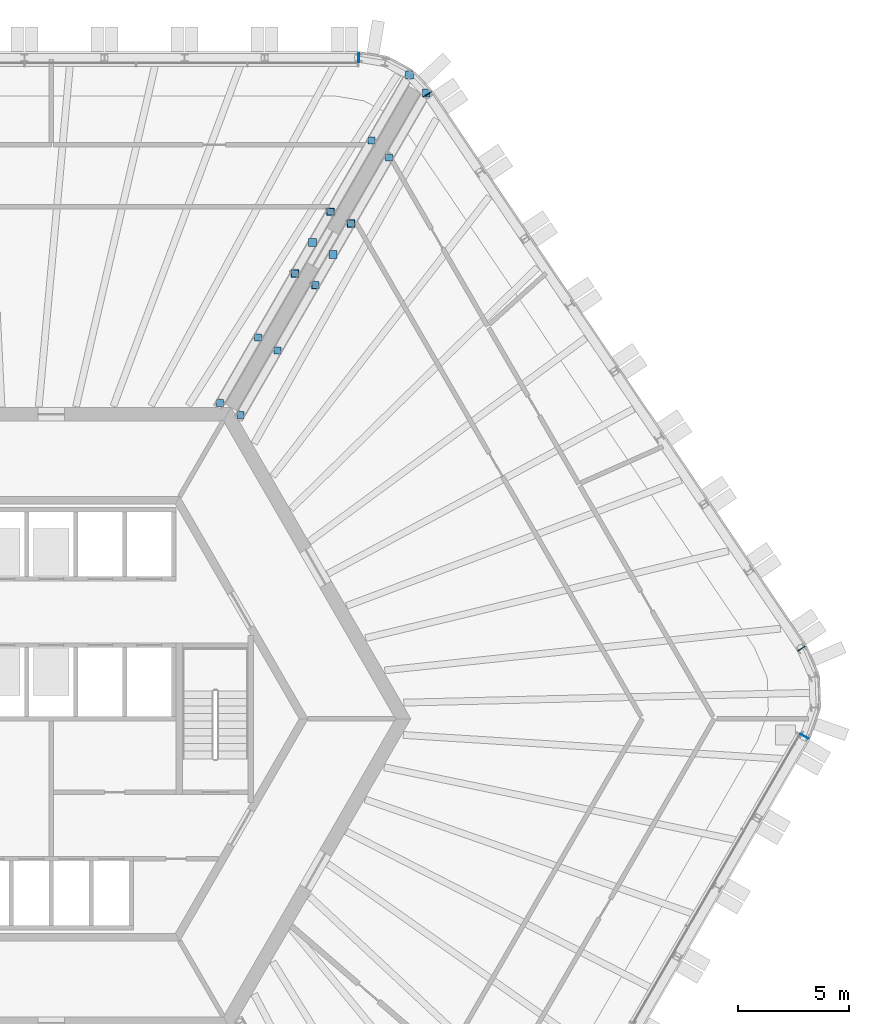
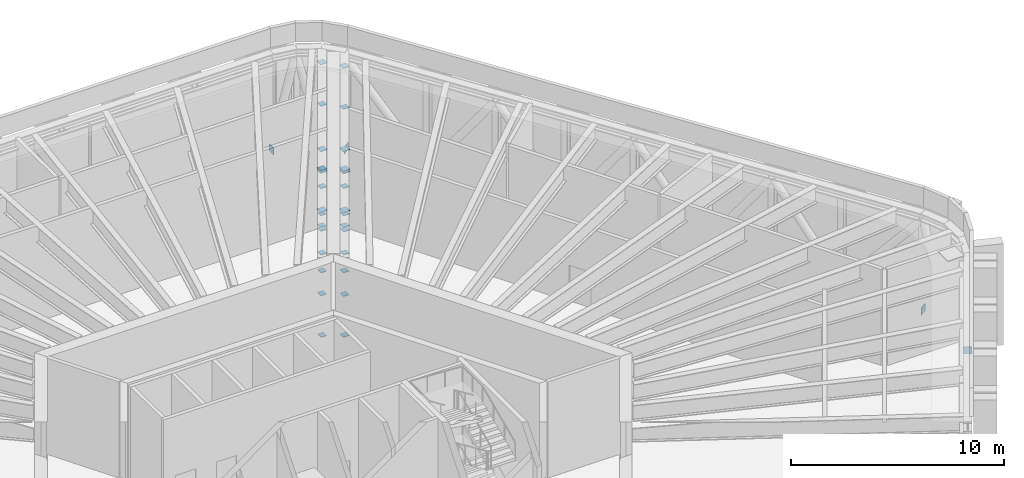
# One storey, part 24 of 27: 34 discrete accessories.
"""IFC4 building model written with IfcOpenShell, lengths in metres."""

from ifc_helpers import new_model, si_unit, direction, frame, origin, origin_2d, place, context, subcontext, project, spatial, rectangle, extrude, material, type_object, element, save


model = new_model("IFC4")

# Units and contexts
model_context = context("Model", 3, precision=1e-05, world=origin(), true_north=direction((0.0, 1.0)))
body_context = subcontext(model_context, "Body", "Model", "MODEL_VIEW")
ifc_project = project(units=[si_unit("LENGTHUNIT", "METRE"), si_unit("AREAUNIT", "SQUARE_METRE"), si_unit("VOLUMEUNIT", "CUBIC_METRE"), si_unit("PLANEANGLEUNIT", "RADIAN"), si_unit("MASSUNIT", "GRAM", prefix="KILO")], contexts=[model_context])

# Site, building, storey
site_placement = place(None, origin())
site = spatial("IfcSite", under=ifc_project, at=site_placement, CompositionType="ELEMENT")
building_placement = place(site_placement, origin())
building = spatial("IfcBuilding", under=site, at=building_placement, Name="Tarnside Tower", CompositionType="ELEMENT")
storey_placement = place(building_placement, frame((0.0, 0.0, 146.699951171875)))
storey = spatial("IfcBuildingStorey", under=building, at=storey_placement, Name="L34", CompositionType="ELEMENT", Elevation=146.699951171875)

# Discrete accessories
ifc_material = material(Name="Steel S355", Category="steel")
discrete_accessory_type_1 = type_object("IfcDiscreteAccessoryType", Name="Cast-in plate L34 belt truss chord end", PredefinedType="USERDEFINED", material=ifc_material)
for number, where, z_axis, x_axis, name in (
    (1, (13.824462890625, 29.72509765625, -0.2998046875), (0.0, 0.0, 1.0), (-1.0, 0.0, 0.0), "Cast-in plate run L34 A"),
    (2, (33.865966796875, -0.79248046875, -0.2998046875), (0.0, 0.0, 1.0), (0.5, 0.866025403784, 0.0), "Cast-in plate run L34 B"),
    (3, (33.72802734375, 3.153076171875, -0.2998046875), (0.0, 0.0, 1.0), (-0.559192903471, 0.829037572555, 0.0), "Cast-in plate run L34 A"),
    (4, (16.91259765625, 28.0830078125, -0.2998046875), (0.0, 0.0, 1.0), (-0.559192903471, 0.829037572555, 0.0), "Cast-in plate run L34 B"),
):
    element("IfcDiscreteAccessory", number, at=place(storey_placement, frame(where, z_axis=z_axis, x_axis=x_axis)), inside=storey, type_object=discrete_accessory_type_1, Name=name, ObjectType="Cast-in plate", PredefinedType="USERDEFINED", context=body_context, shape_type="SweptSolid", body=[
        extrude(rectangle(XDim=0.030029296875, YDim=0.406982421875, at=origin_2d()), origin(), (0.0, 0.0, 1.0), 0.4189453125),
    ])
discrete_accessory_type_2 = type_object("IfcDiscreteAccessoryType", Name="Gusset plate L34 outrigger end 314", PredefinedType="USERDEFINED", material=ifc_material)
for number, where, z_axis, x_axis, name in (
    (5, (7.585693359375, 14.199462890625, 0.89111328125), (0.0, 0.0, 1.0), (1.0, 0.0, 0.0), "Gusset plate 3 L34"),
    (6, (7.585693359375, 14.199462890625, 4.5791015625), (0.0, 0.0, 1.0), (1.0, 0.0, 0.0), "Gusset plate 4 L34"),
    (7, (9.288330078125, 17.148681640625, 0.89111328125), (0.0, 0.0, 1.0), (1.0, 0.0, 0.0), "Gusset plate 5 L34"),
    (8, (9.288330078125, 17.148681640625, 4.5791015625), (0.0, 0.0, 1.0), (1.0, 0.0, 0.0), "Gusset plate 6 L34"),
    (9, (10.950439453125, 20.027099609375, 0.89111328125), (0.0, 0.0, 1.0), (1.0, 0.0, 0.0), "Gusset plate 7 L34"),
    (10, (10.950439453125, 20.027099609375, 2.4501953125), (0.0, 0.0, 1.0), (1.0, 0.0, 0.0), "Gusset plate 8 L34"),
    (11, (12.551513671875, 22.80029296875, 0.89111328125), (0.0, 0.0, 1.0), (1.0, 0.0, 0.0), "Gusset plate 9 L34"),
    (12, (12.551513671875, 22.80029296875, 2.4501953125), (0.0, 0.0, 1.0), (1.0, 0.0, 0.0), "Gusset plate 10 L34"),
    (13, (14.396484375, 25.99609375, 0.89111328125), (0.0, 0.0, 1.0), (1.0, 0.0, 0.0), "Gusset plate 11 L34"),
    (14, (14.396484375, 25.99609375, 4.5791015625), (0.0, 0.0, 1.0), (1.0, 0.0, 0.0), "Gusset plate 12 L34"),
    (15, (8.504150390625, 13.669189453125, 0.89111328125), (0.0, 0.0, 1.0), (1.0, 0.0, 0.0), "Gusset plate 20 L34"),
    (16, (8.504150390625, 13.669189453125, 4.5791015625), (0.0, 0.0, 1.0), (1.0, 0.0, 0.0), "Gusset plate 21 L34"),
    (17, (10.175048828125, 16.563232421875, 0.89111328125), (0.0, 0.0, 1.0), (1.0, 0.0, 0.0), "Gusset plate 22 L34"),
    (18, (10.175048828125, 16.563232421875, 4.5791015625), (0.0, 0.0, 1.0), (1.0, 0.0, 0.0), "Gusset plate 23 L34"),
    (19, (11.868896484375, 19.496826171875, 0.89111328125), (0.0, 0.0, 1.0), (1.0, 0.0, 0.0), "Gusset plate 24 L34"),
    (20, (11.868896484375, 19.496826171875, 2.4501953125), (0.0, 0.0, 1.0), (1.0, 0.0, 0.0), "Gusset plate 25 L34"),
    (21, (13.469970703125, 22.27001953125, 0.89111328125), (0.0, 0.0, 1.0), (1.0, 0.0, 0.0), "Gusset plate 26 L34"),
    (22, (13.469970703125, 22.27001953125, 2.4501953125), (0.0, 0.0, 1.0), (1.0, 0.0, 0.0), "Gusset plate 27 L34"),
    (23, (15.18798828125, 25.245849609375, 0.89111328125), (0.0, 0.0, 1.0), (1.0, 0.0, 0.0), "Gusset plate 28 L34"),
    (24, (15.18798828125, 25.245849609375, 4.5791015625), (0.0, 0.0, 1.0), (1.0, 0.0, 0.0), "Gusset plate 29 L34"),
):
    element("IfcDiscreteAccessory", number, at=place(storey_placement, frame(where, z_axis=z_axis, x_axis=x_axis)), inside=storey, type_object=discrete_accessory_type_2, Name=name, ObjectType="Gusset plate", PredefinedType="USERDEFINED", context=body_context, shape_type="SweptSolid", body=[
        extrude(rectangle(XDim=0.314453125, YDim=0.314453125, at=origin_2d()), origin(), (0.0, 0.0, 1.0), 0.030029296875),
    ])
discrete_accessory_type_3 = type_object("IfcDiscreteAccessoryType", Name="Gusset plate L34 outrigger end 356", PredefinedType="USERDEFINED", material=ifc_material)
for number, where, z_axis, x_axis, name in (
    (25, (10.950439453125, 20.027099609375, 3.3408203125), (0.0, 0.0, 1.0), (1.0, 0.0, 0.0), "Gusset plate 13 L34"),
    (26, (11.7509765625, 21.413818359375, 4.5791015625), (0.0, 0.0, 1.0), (1.0, 0.0, 0.0), "Gusset plate 14 L34"),
    (27, (12.551513671875, 22.80029296875, 3.3408203125), (0.0, 0.0, 1.0), (1.0, 0.0, 0.0), "Gusset plate 15 L34"),
    (28, (12.551513671875, 22.80029296875, 4.5791015625), (0.0, 0.0, 1.0), (1.0, 0.0, 0.0), "Gusset plate 16 L34"),
    (29, (16.09912109375, 28.945068359375, 4.5791015625), (0.0, 0.0, 1.0), (1.0, 0.0, 0.0), "Gusset plate 17 L34"),
    (30, (11.868896484375, 19.496826171875, 3.3408203125), (0.0, 0.0, 1.0), (1.0, 0.0, 0.0), "Gusset plate 30 L34"),
    (31, (12.66943359375, 20.883544921875, 4.5791015625), (0.0, 0.0, 1.0), (1.0, 0.0, 0.0), "Gusset plate 31 L34"),
    (32, (13.469970703125, 22.27001953125, 3.3408203125), (0.0, 0.0, 1.0), (1.0, 0.0, 0.0), "Gusset plate 32 L34"),
    (33, (13.469970703125, 22.27001953125, 4.5791015625), (0.0, 0.0, 1.0), (1.0, 0.0, 0.0), "Gusset plate 33 L34"),
    (34, (16.85888671875, 28.139892578125, 4.5791015625), (0.0, 0.0, 1.0), (1.0, 0.0, 0.0), "Gusset plate 34 L34"),
):
    element("IfcDiscreteAccessory", number, at=place(storey_placement, frame(where, z_axis=z_axis, x_axis=x_axis)), inside=storey, type_object=discrete_accessory_type_3, Name=name, ObjectType="Gusset plate", PredefinedType="USERDEFINED", context=body_context, shape_type="SweptSolid", body=[
        extrude(rectangle(XDim=0.355712890625, YDim=0.355712890625, at=origin_2d()), origin(), (0.0, 0.0, 1.0), 0.030029296875),
    ])

save(model, "model.ifc")
